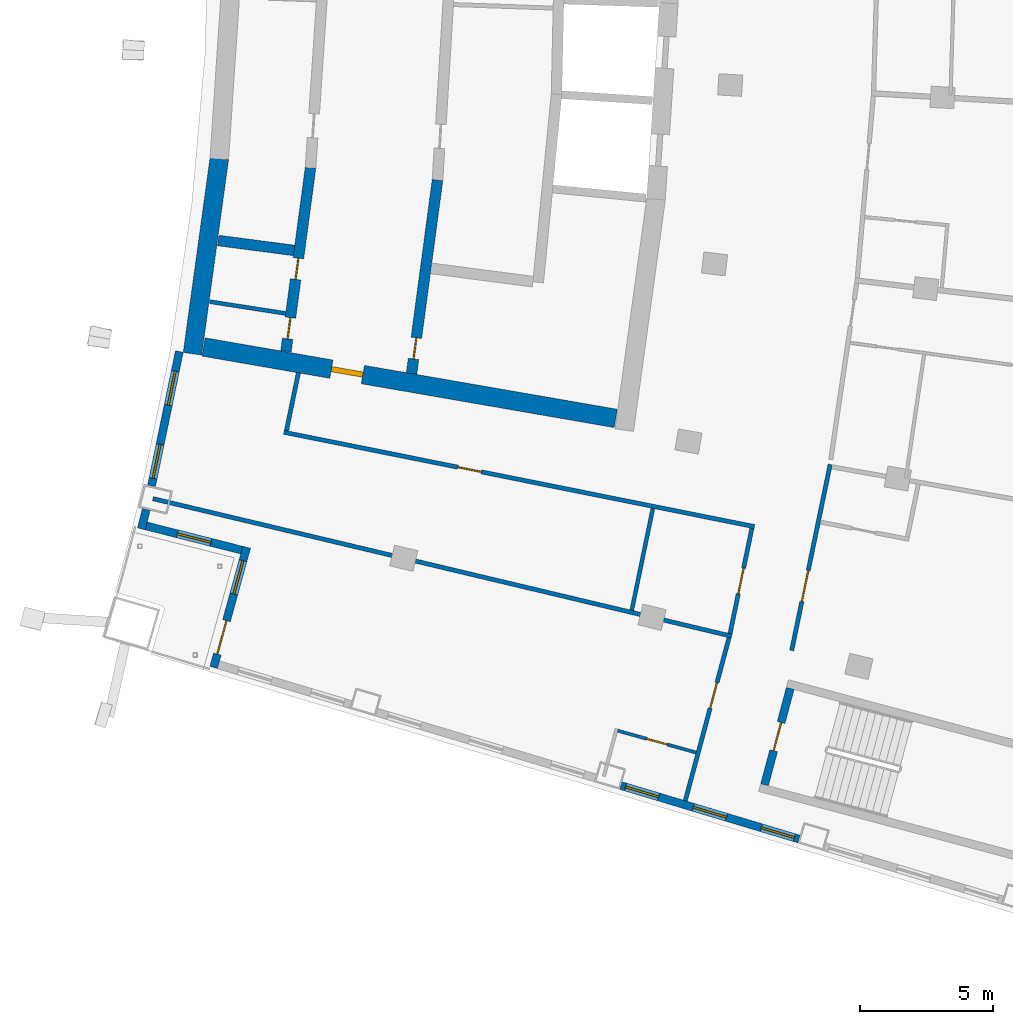
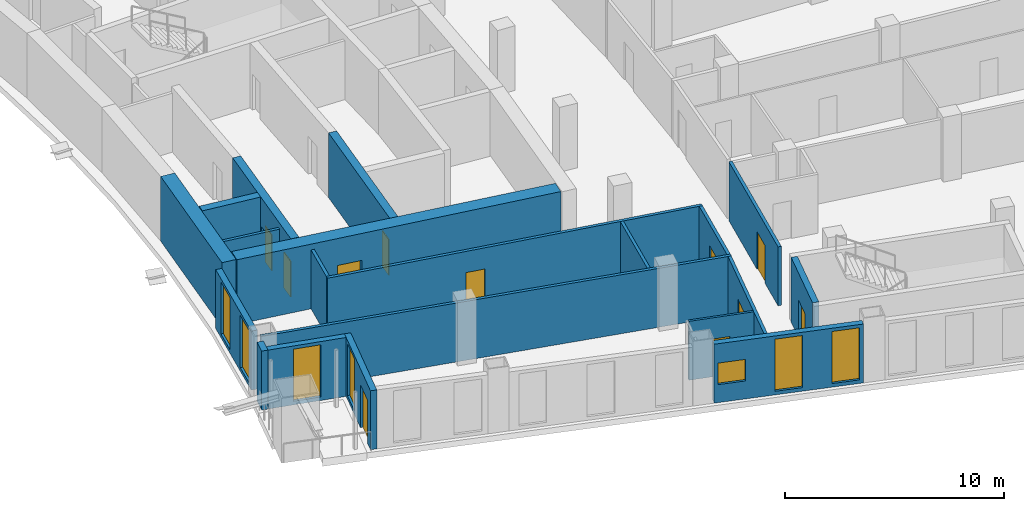
# One storey, part 11 of 22: 20 walls, 11 doors, 7 windows, 18 openings.
"""IFC4 building model written with IfcOpenShell, lengths in metres."""

from ifc_helpers import new_model, si_unit, direction, frame, frame_2d, origin, place, context, subcontext, project, spatial, rectangle, extrude, material, layer, layer_set, type_object, element, fill, save


model = new_model("IFC4")

# Units and contexts
model_context = context("Model", 3, precision=1e-05, world=origin(), true_north=direction((0.0, 1.0)))
body_context = subcontext(model_context, "Body", "Model", "MODEL_VIEW")
ifc_project = project(units=[si_unit("LENGTHUNIT", "METRE"), si_unit("AREAUNIT", "SQUARE_METRE"), si_unit("VOLUMEUNIT", "CUBIC_METRE"), si_unit("PLANEANGLEUNIT", "RADIAN"), si_unit("MASSUNIT", "GRAM", prefix="KILO")], contexts=[model_context])

# Site, building, storey
site_placement = place(None, origin())
site = spatial("IfcSite", under=ifc_project, at=site_placement, CompositionType="ELEMENT")
building_placement = place(site_placement, origin())
building = spatial("IfcBuilding", under=site, at=building_placement, Name="Alderwake Tower", CompositionType="ELEMENT")
storey_placement = place(building_placement, frame((0.0, 0.0, 156.800048828125)))
storey = spatial("IfcBuildingStorey", under=building, at=storey_placement, Name="L38", CompositionType="ELEMENT", Elevation=156.800048828125)

# Walls
ifc_material_1 = material(Name="Gypsum shaft wall system, rated")
ifc_layer_1 = layer(ifc_material_1, 0.14990234375)
ifc_layer_set_1 = layer_set([ifc_layer_1], Name="Core room partition 150")
wall_type_1 = type_object("IfcWallType", Name="Core room partition 150", PredefinedType="PARTITIONING", material=ifc_layer_set_1)
wall_1_placement = place(storey_placement, frame((16.024169921875, 46.097900390625, 0.0), z_axis=(0.0, 0.0, 1.0), x_axis=(0.988178321224, -0.153308856442, 0.0)))
element("IfcWall", 1, at=wall_1_placement, inside=storey, type_object=wall_type_1, Name="CW/L38/PR-161_+0", PredefinedType="PARTITIONING", context=body_context, shape_type="SweptSolid", body=[
    extrude(rectangle(XDim=2.88720703125, YDim=0.14990234375, at=frame_2d((1.443603515625, 0.0))), origin(), (0.0, 0.0, 1.0), 3.280029296875),
])
ifc_material_2 = material(Name="Concrete C70/85", Category="concrete")
ifc_layer_2 = layer(ifc_material_2, 0.699951171875)
ifc_layer_set_2 = layer_set([ifc_layer_2], Name="Core wall outer 700 C70-85")
wall_type_2 = type_object("IfcWallType", Name="Core wall outer 700 C70-85", PredefinedType="SHEAR", material=ifc_layer_set_2)
wall_2_placement = place(storey_placement, frame((15.370849609375, 44.1376953125, 0.0), z_axis=(0.0, 0.0, 1.0), x_axis=(0.136315619812, 0.99066545907, 0.0)))
element("IfcWall", 2, at=wall_2_placement, inside=storey, type_object=wall_type_2, Name="Core wall CW.042", PredefinedType="SHEAR", context=body_context, shape_type="SweptSolid", body=[
    extrude(rectangle(XDim=7.420166015625, YDim=0.699951171875, at=frame_2d((3.7099609375, 0.0))), origin(), (0.0, 0.0, 1.0), 3.599853515625),
])

# Wall, opening, door
wall_3_placement = place(storey_placement, frame((31.295654296875, 41.705810546875, 0.0), z_axis=(0.0, 0.0, 1.0), x_axis=(-0.985302589944, 0.170818050129, 0.0)))
wall_3 = element("IfcWall", 3, at=wall_3_placement, inside=storey, type_object=wall_type_2, Name="Core wall CW.072", PredefinedType="SHEAR", context=body_context, shape_type="SweptSolid", body=[
    extrude(rectangle(XDim=15.7373046875, YDim=0.699951171875, at=frame_2d((7.86865234375, 0.0))), origin(), (0.0, 0.0, 1.0), 3.599853515625),
])
opening_1_placement = place(wall_3_placement, frame((9.65576171875, 0.0, 0.0)))
opening_1 = element("IfcOpeningElement", 4, at=opening_1_placement, cuts=wall_3, Name="Opening C003", PredefinedType="OPENING", context=body_context, shape_type="SweptSolid", body=[
    extrude(rectangle(XDim=1.199951171875, YDim=2.10009765625, at=frame_2d((0.60009765625, 1.050048828125))), frame((0.0, 0.35986328125, 0.0), z_axis=(0.0, -1.0, 0.0), x_axis=(1.0, 0.0, 0.0)), (0.0, 0.0, 1.0), 0.719970703125),
])
ifc_material_3 = material(Name="Steel-framed fire door leaf", Category="steel")
door_type_1 = type_object("IfcDoorType", Name="Core lobby exit door 1200 fire-rated", OperationType="SINGLE_SWING_LEFT", PredefinedType="DOOR", material=ifc_material_3)
door_1_placement = place(opening_1_placement, origin())
door_1 = element("IfcDoor", 5, at=door_1_placement, inside=storey, type_object=door_type_1, Name="Lobby door", OperationType="SINGLE_SWING_LEFT", OverallHeight=2.10009765625, OverallWidth=1.199951171875, PredefinedType="DOOR", context=body_context, shape_type="SweptSolid", body=[
    extrude(rectangle(XDim=1.199951171875, YDim=2.10009765625, at=frame_2d((0.60009765625, 1.050048828125))), frame((0.0, 0.10009765625, 0.0), z_axis=(0.0, -1.0, 0.0), x_axis=(1.0, 0.0, 0.0)), (0.0, 0.0, 1.0), 0.199951171875),
])
fill(opening_1, door_1)

# Wall, openings, doors
ifc_material_4 = material(Name="Concrete C70/85", Category="concrete")
ifc_layer_3 = layer(ifc_material_4, 0.39990234375)
ifc_layer_set_3 = layer_set([ifc_layer_3], Name="Core wall spine 400 C70-85")
wall_type_3 = type_object("IfcWallType", Name="Core wall spine 400 C70-85", PredefinedType="SHEAR", material=ifc_layer_set_3)
wall_4_placement = place(storey_placement, frame((19.814697265625, 51.143798828125, 0.0), z_axis=(0.0, 0.0, 1.0), x_axis=(-0.132864871698, -0.991134161387, 0.0)))
wall_4 = element("IfcWall", 6, at=wall_4_placement, inside=storey, type_object=wall_type_3, Name="Core wall CW.033", PredefinedType="SHEAR", context=body_context, shape_type="SweptSolid", body=[
    extrude(rectangle(XDim=6.978759765625, YDim=0.39990234375, at=frame_2d((3.4892578125, 0.0))), origin(), (0.0, 0.0, 1.0), 3.599853515625),
])
opening_2_placement = place(wall_4_placement, frame((5.69677734375, 0.0, 0.0)))
opening_2 = element("IfcOpeningElement", 7, at=opening_2_placement, cuts=wall_4, Name="Opening C009", PredefinedType="OPENING", context=body_context, shape_type="SweptSolid", body=[
    extrude(rectangle(XDim=0.800048828125, YDim=2.0, at=frame_2d((0.39990234375, 1.0))), frame((0.0, 0.2099609375, 0.0), z_axis=(0.0, -1.0, 0.0), x_axis=(1.0, 0.0, 0.0)), (0.0, 0.0, 1.0), 0.419921875),
])
opening_3_placement = place(wall_4_placement, frame((3.443115234375, 0.0, 0.0)))
opening_3 = element("IfcOpeningElement", 8, at=opening_3_placement, cuts=wall_4, Name="Opening C010", PredefinedType="OPENING", context=body_context, shape_type="SweptSolid", body=[
    extrude(rectangle(XDim=0.800048828125, YDim=2.0, at=frame_2d((0.39990234375, 1.0))), frame((0.0, 0.2099609375, 0.0), z_axis=(0.0, -1.0, 0.0), x_axis=(1.0, 0.0, 0.0)), (0.0, 0.0, 1.0), 0.419921875),
])
ifc_material_5 = material(Name="Painted steel leaf, rated", Category="steel")
door_type_2 = type_object("IfcDoorType", Name="Riser access door 800", OperationType="SINGLE_SWING_LEFT", PredefinedType="DOOR", material=ifc_material_5)
door_2_placement = place(opening_2_placement, origin())
door_2 = element("IfcDoor", 9, at=door_2_placement, inside=storey, type_object=door_type_2, Name="Riser access door", OperationType="SINGLE_SWING_LEFT", OverallHeight=2.0, OverallWidth=0.800048828125, PredefinedType="DOOR", context=body_context, shape_type="SweptSolid", body=[
    extrude(rectangle(XDim=0.800048828125, YDim=2.0, at=frame_2d((0.39990234375, 1.0))), frame((0.0, 0.02490234375, 0.0), z_axis=(0.0, -1.0, 0.0), x_axis=(1.0, 0.0, 0.0)), (0.0, 0.0, 1.0), 0.050048828125),
])
fill(opening_2, door_2)
door_3_placement = place(opening_3_placement, origin())
door_3 = element("IfcDoor", 10, at=door_3_placement, inside=storey, type_object=door_type_2, Name="Riser access door", OperationType="SINGLE_SWING_RIGHT", OverallHeight=2.0, OverallWidth=0.800048828125, PredefinedType="DOOR", context=body_context, shape_type="SweptSolid", body=[
    extrude(rectangle(XDim=0.800048828125, YDim=2.0, at=frame_2d((0.39990234375, 1.0))), frame((0.0, 0.02490234375, 0.0), z_axis=(0.0, -1.0, 0.0), x_axis=(1.0, 0.0, 0.0)), (0.0, 0.0, 1.0), 0.050048828125),
])
fill(opening_3, door_3)

# Wall, opening, door
wall_5_placement = place(storey_placement, frame((23.6142578125, 43.390869140625, 0.0), z_axis=(0.0, 0.0, 1.0), x_axis=(0.133023466616, 0.991112888287, 0.0)))
wall_5 = element("IfcWall", 11, at=wall_5_placement, inside=storey, type_object=wall_type_3, Name="Core wall CW.047", PredefinedType="SHEAR", context=body_context, shape_type="SweptSolid", body=[
    extrude(rectangle(XDim=7.3466796875, YDim=0.39990234375, at=frame_2d((3.67333984375, 0.0))), origin(), (0.0, 0.0, 1.0), 3.599853515625),
])
opening_4_placement = place(wall_5_placement, frame((0.557861328125, 0.0, 0.0)))
opening_4 = element("IfcOpeningElement", 12, at=opening_4_placement, cuts=wall_5, Name="Opening C013", PredefinedType="OPENING", context=body_context, shape_type="SweptSolid", body=[
    extrude(rectangle(XDim=0.800048828125, YDim=2.0, at=frame_2d((0.39990234375, 1.0))), frame((0.0, 0.2099609375, 0.0), z_axis=(0.0, -1.0, 0.0), x_axis=(1.0, 0.0, 0.0)), (0.0, 0.0, 1.0), 0.419921875),
])
door_4_placement = place(opening_4_placement, origin())
door_4 = element("IfcDoor", 13, at=door_4_placement, inside=storey, type_object=door_type_2, Name="Riser access door", OperationType="SINGLE_SWING_LEFT", OverallHeight=2.0, OverallWidth=0.800048828125, PredefinedType="DOOR", context=body_context, shape_type="SweptSolid", body=[
    extrude(rectangle(XDim=0.800048828125, YDim=2.0, at=frame_2d((0.39990234375, 1.0))), frame((0.0, 0.02490234375, 0.0), z_axis=(0.0, -1.0, 0.0), x_axis=(1.0, 0.0, 0.0)), (0.0, 0.0, 1.0), 0.050048828125),
])
fill(opening_4, door_4)

# Wall
wall_6_placement = place(storey_placement, frame((16.3408203125, 48.3994140625, 0.0), z_axis=(0.0, 0.0, 1.0), x_axis=(0.991544987266, -0.129763393253, 0.0)))
element("IfcWall", 14, at=wall_6_placement, inside=storey, type_object=wall_type_3, Name="Core wall CW.067", PredefinedType="SHEAR", context=body_context, shape_type="SweptSolid", body=[
    extrude(rectangle(XDim=2.878662109375, YDim=0.39990234375, at=frame_2d((1.439453125, 0.0))), origin(), (0.0, 0.0, 1.0), 3.599853515625),
])

# Wall, opening, door
ifc_material_6 = material(Name="Concrete C70/85", Category="concrete")
ifc_layer_4 = layer(ifc_material_6, 0.300048828125)
ifc_layer_set_4 = layer_set([ifc_layer_4], Name="Core wall stair enclosure 300 C70-85")
wall_type_4 = type_object("IfcWallType", Name="Core wall stair enclosure 300 C70-85", PredefinedType="SHEAR", material=ifc_layer_set_4)
wall_7_placement = place(storey_placement, frame((36.89501953125, 27.923828125, 0.0), z_axis=(0.0, 0.0, 1.0), x_axis=(0.257350630826, 0.966318090907, 0.0)))
wall_7 = element("IfcWall", 15, at=wall_7_placement, inside=storey, type_object=wall_type_4, Name="Core wall CW.087", PredefinedType="SHEAR", context=body_context, shape_type="SweptSolid", body=[
    extrude(rectangle(XDim=3.75, YDim=0.300048828125, at=frame_2d((1.875, 0.0))), origin(), (0.0, 0.0, 1.0), 3.599853515625),
])
opening_5_placement = place(wall_7_placement, frame((1.324951171875, 0.0, 0.0)))
opening_5 = element("IfcOpeningElement", 16, at=opening_5_placement, cuts=wall_7, Name="Opening C065", PredefinedType="OPENING", context=body_context, shape_type="SweptSolid", body=[
    extrude(rectangle(XDim=1.10009765625, YDim=2.10009765625, at=frame_2d((0.550048828125, 1.050048828125))), frame((0.0, 0.159912109375, 0.0), z_axis=(0.0, -1.0, 0.0), x_axis=(1.0, 0.0, 0.0)), (0.0, 0.0, 1.0), 0.320068359375),
])
ifc_material_7 = material(Name="Steel-framed fire door leaf", Category="steel")
door_type_3 = type_object("IfcDoorType", Name="Core stair door 1100 fire-rated", OperationType="SINGLE_SWING_LEFT", PredefinedType="DOOR", material=ifc_material_7)
door_5_placement = place(opening_5_placement, origin())
door_5 = element("IfcDoor", 17, at=door_5_placement, inside=storey, type_object=door_type_3, Name="Stair door", OperationType="SINGLE_SWING_LEFT", OverallHeight=2.10009765625, OverallWidth=1.10009765625, PredefinedType="DOOR", context=body_context, shape_type="SweptSolid", body=[
    extrude(rectangle(XDim=1.10009765625, YDim=2.10009765625, at=frame_2d((0.550048828125, 1.050048828125))), frame((0.0, 0.02490234375, 0.0), z_axis=(0.0, -1.0, 0.0), x_axis=(1.0, 0.0, 0.0)), (0.0, 0.0, 1.0), 0.050048828125),
])
fill(opening_5, door_5)

# Wall
ifc_material_8 = material(Name="Gypsum board on metal studs, rated")
ifc_layer_5 = layer(ifc_material_8, 0.159912109375)
ifc_layer_set_5 = layer_set([ifc_layer_5], Name="Corridor wall 160")
wall_type_5 = type_object("IfcWallType", Name="Corridor wall 160", PredefinedType="PARTITIONING", material=ifc_layer_set_5)
wall_8_placement = place(storey_placement, frame((13.884033203125, 38.68798828125, 0.0), z_axis=(0.0, 0.0, 1.0), x_axis=(0.972893462073, -0.231253781493, 0.0)))
element("IfcWall", 18, at=wall_8_placement, inside=storey, type_object=wall_type_5, Name="WL/L38/W11", PredefinedType="PARTITIONING", context=body_context, shape_type="SweptSolid", body=[
    extrude(rectangle(XDim=22.38037109375, YDim=0.159912109375, at=frame_2d((11.190185546875, 0.0))), origin(), (0.0, 0.0, 1.0), 3.280029296875),
])

# Wall, opening, door
wall_9_placement = place(storey_placement, frame((36.513427734375, 37.63427734375, 0.0), z_axis=(0.0, 0.0, 1.0), x_axis=(-0.980470254867, 0.1966674333, 0.0)))
wall_9 = element("IfcWall", 19, at=wall_9_placement, inside=storey, type_object=wall_type_5, Name="WL/L38/W12", PredefinedType="PARTITIONING", context=body_context, shape_type="SweptSolid", body=[
    extrude(rectangle(XDim=18.053466796875, YDim=0.159912109375, at=frame_2d((9.02685546875, 0.0))), origin(), (0.0, 0.0, 1.0), 3.280029296875),
])
opening_6_placement = place(wall_9_placement, frame((10.476806640625, 0.0, 0.0)))
opening_6 = element("IfcOpeningElement", 20, at=opening_6_placement, cuts=wall_9, Name="Opening R10-SBS1", PredefinedType="OPENING", context=body_context, shape_type="SweptSolid", body=[
    extrude(rectangle(XDim=0.89990234375, YDim=2.10009765625, at=frame_2d((0.449951171875, 1.050048828125))), frame((0.0, 0.08984375, 0.0), z_axis=(0.0, -1.0, 0.0), x_axis=(1.0, 0.0, 0.0)), (0.0, 0.0, 1.0), 0.179931640625),
])
ifc_material_9 = material(Name="Painted timber leaf", Category="wood")
door_type_4 = type_object("IfcDoorType", Name="Room door 900", OperationType="SINGLE_SWING_LEFT", PredefinedType="DOOR", material=ifc_material_9)
door_6_placement = place(opening_6_placement, origin())
door_6 = element("IfcDoor", 21, at=door_6_placement, inside=storey, type_object=door_type_4, Name="DR/L38/SBS1", OperationType="SINGLE_SWING_LEFT", OverallHeight=2.10009765625, OverallWidth=0.89990234375, PredefinedType="DOOR", context=body_context, shape_type="SweptSolid", body=[
    extrude(rectangle(XDim=0.89990234375, YDim=2.10009765625, at=frame_2d((0.449951171875, 1.050048828125))), frame((0.0, 0.02490234375, 0.0), z_axis=(0.0, -1.0, 0.0), x_axis=(1.0, 0.0, 0.0)), (0.0, 0.0, 1.0), 0.050048828125),
])
fill(opening_6, door_6)

# Wall
wall_10_placement = place(storey_placement, frame((19.35888671875, 43.430908203125, 0.0), z_axis=(0.0, 0.0, 1.0), x_axis=(-0.202554916658, -0.979270905183, 0.0)))
element("IfcWall", 22, at=wall_10_placement, inside=storey, type_object=wall_type_5, Name="WL/L38/W13", PredefinedType="PARTITIONING", context=body_context, shape_type="SweptSolid", body=[
    extrude(rectangle(XDim=2.229736328125, YDim=0.159912109375, at=frame_2d((1.11474609375, 0.0))), origin(), (0.0, 0.0, 1.0), 3.280029296875),
])

# Wall, opening, door
wall_11_placement = place(storey_placement, frame((33.912109375, 27.321044921875, 0.0), z_axis=(0.0, 0.0, 1.0), x_axis=(0.259370874835, 0.965777794986, 0.0)))
wall_11 = element("IfcWall", 23, at=wall_11_placement, inside=storey, type_object=wall_type_5, Name="WL/L38/W16", PredefinedType="PARTITIONING", context=body_context, shape_type="SweptSolid", body=[
    extrude(rectangle(XDim=6.349853515625, YDim=0.159912109375, at=frame_2d((3.1748046875, 0.0))), origin(), (0.0, 0.0, 1.0), 3.280029296875),
])
opening_7_placement = place(wall_11_placement, frame((3.603515625, 0.0, 0.0)))
opening_7 = element("IfcOpeningElement", 24, at=opening_7_placement, cuts=wall_11, Name="Opening R10-U08.1", PredefinedType="OPENING", context=body_context, shape_type="SweptSolid", body=[
    extrude(rectangle(XDim=1.0, YDim=2.10009765625, at=frame_2d((0.5, 1.050048828125))), frame((0.0, 0.08984375, 0.0), z_axis=(0.0, -1.0, 0.0), x_axis=(1.0, 0.0, 0.0)), (0.0, 0.0, 1.0), 0.179931640625),
])
ifc_material_10 = material(Name="Solid timber leaf in steel frame", Category="steel")
door_type_5 = type_object("IfcDoorType", Name="Flat entrance door 1000 fire-rated", OperationType="SINGLE_SWING_LEFT", PredefinedType="DOOR", material=ifc_material_10)
door_7_placement = place(opening_7_placement, origin())
door_7 = element("IfcDoor", 25, at=door_7_placement, inside=storey, type_object=door_type_5, Name="DR/L38/U08.1", OperationType="SINGLE_SWING_LEFT", OverallHeight=2.10009765625, OverallWidth=1.0, PredefinedType="DOOR", context=body_context, shape_type="SweptSolid", body=[
    extrude(rectangle(XDim=1.0, YDim=2.10009765625, at=frame_2d((0.5, 1.050048828125))), frame((0.0, 0.02490234375, 0.0), z_axis=(0.0, -1.0, 0.0), x_axis=(1.0, 0.0, 0.0)), (0.0, 0.0, 1.0), 0.050048828125),
])
fill(opening_7, door_7)

wall_12_placement = place(storey_placement, frame((35.59619140625, 33.609375, 0.0), z_axis=(0.0, 0.0, 1.0), x_axis=(0.203245920818, 0.979127721838, 0.0)))
wall_12 = element("IfcWall", 26, at=wall_12_placement, inside=storey, type_object=wall_type_5, Name="WL/L38/W19", PredefinedType="PARTITIONING", context=body_context, shape_type="SweptSolid", body=[
    extrude(rectangle(XDim=4.046875, YDim=0.159912109375, at=frame_2d((2.0234375, 0.0))), origin(), (0.0, 0.0, 1.0), 3.280029296875),
])
opening_8_placement = place(wall_12_placement, frame((1.5234375, 0.0, 0.0)))
opening_8 = element("IfcOpeningElement", 27, at=opening_8_placement, cuts=wall_12, Name="Opening R10-SBS2", PredefinedType="OPENING", context=body_context, shape_type="SweptSolid", body=[
    extrude(rectangle(XDim=1.0, YDim=2.10009765625, at=frame_2d((0.5, 1.050048828125))), frame((0.0, 0.08984375, 0.0), z_axis=(0.0, -1.0, 0.0), x_axis=(1.0, 0.0, 0.0)), (0.0, 0.0, 1.0), 0.179931640625),
])
ifc_material_11 = material(Name="Steel-framed fire door leaf", Category="steel")
door_type_6 = type_object("IfcDoorType", Name="Plant room door 1000 fire-rated", OperationType="SINGLE_SWING_LEFT", PredefinedType="DOOR", material=ifc_material_11)
door_8_placement = place(opening_8_placement, origin())
door_8 = element("IfcDoor", 28, at=door_8_placement, inside=storey, type_object=door_type_6, Name="DR/L38/SBS2", OperationType="SINGLE_SWING_LEFT", OverallHeight=2.10009765625, OverallWidth=1.0, PredefinedType="DOOR", context=body_context, shape_type="SweptSolid", body=[
    extrude(rectangle(XDim=1.0, YDim=2.10009765625, at=frame_2d((0.5, 1.050048828125))), frame((0.0, 0.02490234375, 0.0), z_axis=(0.0, -1.0, 0.0), x_axis=(1.0, 0.0, 0.0)), (0.0, 0.0, 1.0), 0.050048828125),
])
fill(opening_8, door_8)

wall_13_placement = place(storey_placement, frame((39.3642578125, 39.975341796875, 0.0), z_axis=(0.0, 0.0, 1.0), x_axis=(-0.202490391407, -0.979284249535, 0.0)))
wall_13 = element("IfcWall", 29, at=wall_13_placement, inside=storey, type_object=wall_type_5, Name="WL/L38/W21", PredefinedType="PARTITIONING", context=body_context, shape_type="SweptSolid", body=[
    extrude(rectangle(XDim=7.147216796875, YDim=0.159912109375, at=frame_2d((3.57373046875, 0.0))), origin(), (0.0, 0.0, 1.0), 3.280029296875),
])
opening_9_placement = place(wall_13_placement, frame((4.073486328125, 0.0, 0.0)))
opening_9 = element("IfcOpeningElement", 30, at=opening_9_placement, cuts=wall_13, Name="Opening R10-AM1.1", PredefinedType="OPENING", context=body_context, shape_type="SweptSolid", body=[
    extrude(rectangle(XDim=1.199951171875, YDim=2.10009765625, at=frame_2d((0.60009765625, 1.050048828125))), frame((0.0, 0.08984375, 0.0), z_axis=(0.0, -1.0, 0.0), x_axis=(1.0, 0.0, 0.0)), (0.0, 0.0, 1.0), 0.179931640625),
])
ifc_material_12 = material(Name="Steel-framed fire door leaf", Category="steel")
door_type_7 = type_object("IfcDoorType", Name="Lobby door 1200 fire-rated", OperationType="SINGLE_SWING_LEFT", PredefinedType="DOOR", material=ifc_material_12)
door_9_placement = place(opening_9_placement, origin())
door_9 = element("IfcDoor", 31, at=door_9_placement, inside=storey, type_object=door_type_7, Name="DR/L38/AM1.1", OperationType="SINGLE_SWING_LEFT", OverallHeight=2.10009765625, OverallWidth=1.199951171875, PredefinedType="DOOR", context=body_context, shape_type="SweptSolid", body=[
    extrude(rectangle(XDim=1.199951171875, YDim=2.10009765625, at=frame_2d((0.60009765625, 1.050048828125))), frame((0.0, 0.02490234375, 0.0), z_axis=(0.0, -1.0, 0.0), x_axis=(1.0, 0.0, 0.0)), (0.0, 0.0, 1.0), 0.050048828125),
])
fill(opening_9, door_9)

# Wall
ifc_material_13 = material(Name="Precast concrete C50/60 spandrel panel", Category="concrete")
ifc_layer_6 = layer(ifc_material_13, 0.300048828125)
ifc_layer_set_6 = layer_set([ifc_layer_6], Name="External wall EW1 Precast concrete C50/60 spandrel")
wall_type_6 = type_object("IfcWallType", Name="External wall EW1 Precast concrete C50/60 spandrel", PredefinedType="SOLIDWALL", material=ifc_layer_set_6)
wall_14_placement = place(storey_placement, frame((13.63134765625, 38.28271484375, 0.0), z_axis=(0.0, 0.0, 1.0), x_axis=(-0.238336947214, -0.971182526404, 0.0)))
element("IfcWall", 32, at=wall_14_placement, inside=storey, type_object=wall_type_6, Name="External wall 1", PredefinedType="SOLIDWALL", context=body_context, shape_type="SweptSolid", body=[
    extrude(rectangle(XDim=0.7529296875, YDim=0.300048828125, at=frame_2d((0.37646484375, 0.0))), origin(), (0.0, 0.0, 1.0), 3.280029296875),
])

# Wall, openings, windows
wall_15_placement = place(storey_placement, frame((14.878173828125, 44.223388671875, 0.0), z_axis=(0.0, 0.0, 1.0), x_axis=(-0.202754243564, -0.979229654737, 0.0)))
wall_15 = element("IfcWall", 33, at=wall_15_placement, inside=storey, type_object=wall_type_6, Name="External wall 32", PredefinedType="SOLIDWALL", context=body_context, shape_type="SweptSolid", body=[
    extrude(rectangle(XDim=5.15966796875, YDim=0.300048828125, at=frame_2d((2.579833984375, 0.0))), origin(), (0.0, 0.0, 1.0), 3.280029296875),
])
opening_10_placement = place(wall_15_placement, frame((0.75634765625, 0.0, 0.199951171875)))
opening_10 = element("IfcOpeningElement", 34, at=opening_10_placement, cuts=wall_15, Name="Opening W1", PredefinedType="OPENING", context=body_context, shape_type="SweptSolid", body=[
    extrude(rectangle(XDim=1.300048828125, YDim=2.89990234375, at=frame_2d((0.64990234375, 1.449951171875))), frame((0.0, 0.159912109375, 0.0), z_axis=(0.0, -1.0, 0.0), x_axis=(1.0, 0.0, 0.0)), (0.0, 0.0, 1.0), 0.320068359375),
])
opening_11_placement = place(wall_15_placement, frame((3.569091796875, 0.0, 0.199951171875)))
opening_11 = element("IfcOpeningElement", 35, at=opening_11_placement, cuts=wall_15, Name="Opening W1", PredefinedType="OPENING", context=body_context, shape_type="SweptSolid", body=[
    extrude(rectangle(XDim=1.300048828125, YDim=2.89990234375, at=frame_2d((0.64990234375, 1.449951171875))), frame((0.0, 0.159912109375, 0.0), z_axis=(0.0, -1.0, 0.0), x_axis=(1.0, 0.0, 0.0)), (0.0, 0.0, 1.0), 0.320068359375),
])
ifc_material_14 = material(Name="Bronze tinted glass in aluminium frame", Category="aluminium")
window_type_1 = type_object("IfcWindowType", Name="Window W1 tall fixed and vent", PartitioningType="DOUBLE_PANEL_VERTICAL", PredefinedType="WINDOW", material=ifc_material_14)
window_1_placement = place(opening_10_placement, origin())
window_1 = element("IfcWindow", 36, at=window_1_placement, inside=storey, type_object=window_type_1, Name="Window W1 tall fixed and vent", OverallHeight=2.89990234375, OverallWidth=1.300048828125, PartitioningType="DOUBLE_PANEL_VERTICAL", PredefinedType="WINDOW", context=body_context, shape_type="SweptSolid", body=[
    extrude(rectangle(XDim=1.300048828125, YDim=2.89990234375, at=frame_2d((0.64990234375, 1.449951171875))), frame((0.0, 0.030029296875, 0.0), z_axis=(0.0, -1.0, 0.0), x_axis=(1.0, 0.0, 0.0)), (0.0, 0.0, 1.0), 0.06005859375),
])
fill(opening_10, window_1)
window_2_placement = place(opening_11_placement, origin())
window_2 = element("IfcWindow", 37, at=window_2_placement, inside=storey, type_object=window_type_1, Name="Window W1 tall fixed and vent", OverallHeight=2.89990234375, OverallWidth=1.300048828125, PartitioningType="DOUBLE_PANEL_VERTICAL", PredefinedType="WINDOW", context=body_context, shape_type="SweptSolid", body=[
    extrude(rectangle(XDim=1.300048828125, YDim=2.89990234375, at=frame_2d((0.64990234375, 1.449951171875))), frame((0.0, 0.030029296875, 0.0), z_axis=(0.0, -1.0, 0.0), x_axis=(1.0, 0.0, 0.0)), (0.0, 0.0, 1.0), 0.06005859375),
])
fill(opening_11, window_2)

# Wall, opening, window
ifc_material_15 = material(Name="Bronze metal cladding on lightweight framing")
ifc_layer_7 = layer(ifc_material_15, 0.300048828125)
ifc_layer_set_7 = layer_set([ifc_layer_7], Name="External wall EW2 bronze metal cladding")
wall_type_7 = type_object("IfcWallType", Name="External wall EW2 bronze metal cladding", PredefinedType="SOLIDWALL", material=ifc_layer_set_7)
wall_16_placement = place(storey_placement, frame((13.633056640625, 37.660400390625, 0.0), z_axis=(0.0, 0.0, 1.0), x_axis=(0.969417366605, -0.245417948254, 0.0)))
wall_16 = element("IfcWall", 38, at=wall_16_placement, inside=storey, type_object=wall_type_7, Name="External wall 2", PredefinedType="SOLIDWALL", context=body_context, shape_type="SweptSolid", body=[
    extrude(rectangle(XDim=3.70556640625, YDim=0.300048828125, at=frame_2d((1.852783203125, 0.0))), origin(), (0.0, 0.0, 1.0), 3.280029296875),
])
opening_12_placement = place(wall_16_placement, frame((1.202880859375, 0.0, 0.199951171875)))
opening_12 = element("IfcOpeningElement", 39, at=opening_12_placement, cuts=wall_16, Name="Opening W1", PredefinedType="OPENING", context=body_context, shape_type="SweptSolid", body=[
    extrude(rectangle(XDim=1.300048828125, YDim=2.89990234375, at=frame_2d((0.64990234375, 1.449951171875))), frame((0.0, 0.159912109375, 0.0), z_axis=(0.0, -1.0, 0.0), x_axis=(1.0, 0.0, 0.0)), (0.0, 0.0, 1.0), 0.320068359375),
])
window_3_placement = place(opening_12_placement, origin())
window_3 = element("IfcWindow", 40, at=window_3_placement, inside=storey, type_object=window_type_1, Name="Window W1 tall fixed and vent", OverallHeight=2.89990234375, OverallWidth=1.300048828125, PartitioningType="DOUBLE_PANEL_VERTICAL", PredefinedType="WINDOW", context=body_context, shape_type="SweptSolid", body=[
    extrude(rectangle(XDim=1.300048828125, YDim=2.89990234375, at=frame_2d((0.64990234375, 1.449951171875))), frame((0.0, 0.030029296875, 0.0), z_axis=(0.0, -1.0, 0.0), x_axis=(1.0, 0.0, 0.0)), (0.0, 0.0, 1.0), 0.06005859375),
])
fill(opening_12, window_3)

# Wall, openings, door, window
wall_17_placement = place(storey_placement, frame((17.410400390625, 36.85888671875, 0.0), z_axis=(0.0, 0.0, 1.0), x_axis=(-0.264592640785, -0.96436027212, 0.0)))
wall_17 = element("IfcWall", 41, at=wall_17_placement, inside=storey, type_object=wall_type_7, Name="External wall 3", PredefinedType="SOLIDWALL", context=body_context, shape_type="SweptSolid", body=[
    extrude(rectangle(XDim=4.690185546875, YDim=0.300048828125, at=frame_2d((2.34521484375, 0.0))), origin(), (0.0, 0.0, 1.0), 3.280029296875),
])
opening_13_placement = place(wall_17_placement, frame((0.5224609375, 0.0, 0.199951171875)))
opening_13 = element("IfcOpeningElement", 42, at=opening_13_placement, cuts=wall_17, Name="Opening W1", PredefinedType="OPENING", context=body_context, shape_type="SweptSolid", body=[
    extrude(rectangle(XDim=1.300048828125, YDim=2.89990234375, at=frame_2d((0.64990234375, 1.449951171875))), frame((0.0, 0.159912109375, 0.0), z_axis=(0.0, -1.0, 0.0), x_axis=(1.0, 0.0, 0.0)), (0.0, 0.0, 1.0), 0.320068359375),
])
opening_14_placement = place(wall_17_placement, frame((2.867431640625, 0.0, 0.0)))
opening_14 = element("IfcOpeningElement", 43, at=opening_14_placement, cuts=wall_17, Name="Opening D01", PredefinedType="OPENING", context=body_context, shape_type="SweptSolid", body=[
    extrude(rectangle(XDim=1.300048828125, YDim=2.39990234375, at=frame_2d((0.64990234375, 1.199951171875))), frame((0.0, 0.159912109375, 0.0), z_axis=(0.0, -1.0, 0.0), x_axis=(1.0, 0.0, 0.0)), (0.0, 0.0, 1.0), 0.320068359375),
])
ifc_material_16 = material(Name="Bronze tinted glass in aluminium frame", Category="aluminium")
door_type_8 = type_object("IfcDoorType", Name="Balcony door BD sliding", OperationType="SLIDING_TO_LEFT", PredefinedType="DOOR", material=ifc_material_16)
door_10_placement = place(opening_14_placement, origin())
door_10 = element("IfcDoor", 44, at=door_10_placement, inside=storey, type_object=door_type_8, Name="Door D01", OperationType="SLIDING_TO_LEFT", OverallHeight=2.39990234375, OverallWidth=1.300048828125, PredefinedType="DOOR", context=body_context, shape_type="SweptSolid", body=[
    extrude(rectangle(XDim=1.300048828125, YDim=2.39990234375, at=frame_2d((0.64990234375, 1.199951171875))), frame((0.0, 0.02490234375, 0.0), z_axis=(0.0, -1.0, 0.0), x_axis=(1.0, 0.0, 0.0)), (0.0, 0.0, 1.0), 0.050048828125),
])
fill(opening_14, door_10)
window_4_placement = place(opening_13_placement, origin())
window_4 = element("IfcWindow", 45, at=window_4_placement, inside=storey, type_object=window_type_1, Name="Window W1 tall fixed and vent", OverallHeight=2.89990234375, OverallWidth=1.300048828125, PartitioningType="DOUBLE_PANEL_VERTICAL", PredefinedType="WINDOW", context=body_context, shape_type="SweptSolid", body=[
    extrude(rectangle(XDim=1.300048828125, YDim=2.89990234375, at=frame_2d((0.64990234375, 1.449951171875))), frame((0.0, 0.030029296875, 0.0), z_axis=(0.0, -1.0, 0.0), x_axis=(1.0, 0.0, 0.0)), (0.0, 0.0, 1.0), 0.06005859375),
])
fill(opening_13, window_4)

# Wall, openings, windows
wall_18_placement = place(storey_placement, frame((31.4892578125, 27.893310546875, 0.0), z_axis=(0.0, 0.0, 1.0), x_axis=(0.957757105671, -0.287578383292, 0.0)))
wall_18 = element("IfcWall", 46, at=wall_18_placement, inside=storey, type_object=wall_type_7, Name="External wall 6", PredefinedType="SOLIDWALL", context=body_context, shape_type="SweptSolid", body=[
    extrude(rectangle(XDim=6.996337890625, YDim=0.300048828125, at=frame_2d((3.498046875, 0.0))), origin(), (0.0, 0.0, 1.0), 3.280029296875),
])
opening_15_placement = place(wall_18_placement, frame((0.181396484375, 0.0, 1.0)))
opening_15 = element("IfcOpeningElement", 47, at=opening_15_placement, cuts=wall_18, Name="Opening W2", PredefinedType="OPENING", context=body_context, shape_type="SweptSolid", body=[
    extrude(rectangle(XDim=1.300048828125, YDim=1.199951171875, at=frame_2d((0.64990234375, 0.60009765625))), frame((0.0, 0.159912109375, 0.0), z_axis=(0.0, -1.0, 0.0), x_axis=(1.0, 0.0, 0.0)), (0.0, 0.0, 1.0), 0.320068359375),
])
opening_16_placement = place(wall_18_placement, frame((2.847900390625, 0.0, 0.199951171875)))
opening_16 = element("IfcOpeningElement", 48, at=opening_16_placement, cuts=wall_18, Name="Opening W1", PredefinedType="OPENING", context=body_context, shape_type="SweptSolid", body=[
    extrude(rectangle(XDim=1.300048828125, YDim=2.89990234375, at=frame_2d((0.64990234375, 1.449951171875))), frame((0.0, 0.159912109375, 0.0), z_axis=(0.0, -1.0, 0.0), x_axis=(1.0, 0.0, 0.0)), (0.0, 0.0, 1.0), 0.320068359375),
])
opening_17_placement = place(wall_18_placement, frame((5.5146484375, 0.0, 0.199951171875)))
opening_17 = element("IfcOpeningElement", 49, at=opening_17_placement, cuts=wall_18, Name="Opening W1", PredefinedType="OPENING", context=body_context, shape_type="SweptSolid", body=[
    extrude(rectangle(XDim=1.300048828125, YDim=2.89990234375, at=frame_2d((0.64990234375, 1.449951171875))), frame((0.0, 0.159912109375, 0.0), z_axis=(0.0, -1.0, 0.0), x_axis=(1.0, 0.0, 0.0)), (0.0, 0.0, 1.0), 0.320068359375),
])
window_5_placement = place(opening_16_placement, origin())
window_5 = element("IfcWindow", 50, at=window_5_placement, inside=storey, type_object=window_type_1, Name="Window W1 tall fixed and vent", OverallHeight=2.89990234375, OverallWidth=1.300048828125, PartitioningType="DOUBLE_PANEL_VERTICAL", PredefinedType="WINDOW", context=body_context, shape_type="SweptSolid", body=[
    extrude(rectangle(XDim=1.300048828125, YDim=2.89990234375, at=frame_2d((0.64990234375, 1.449951171875))), frame((0.0, 0.030029296875, 0.0), z_axis=(0.0, -1.0, 0.0), x_axis=(1.0, 0.0, 0.0)), (0.0, 0.0, 1.0), 0.06005859375),
])
fill(opening_16, window_5)
window_6_placement = place(opening_17_placement, origin())
window_6 = element("IfcWindow", 51, at=window_6_placement, inside=storey, type_object=window_type_1, Name="Window W1 tall fixed and vent", OverallHeight=2.89990234375, OverallWidth=1.300048828125, PartitioningType="DOUBLE_PANEL_VERTICAL", PredefinedType="WINDOW", context=body_context, shape_type="SweptSolid", body=[
    extrude(rectangle(XDim=1.300048828125, YDim=2.89990234375, at=frame_2d((0.64990234375, 1.449951171875))), frame((0.0, 0.030029296875, 0.0), z_axis=(0.0, -1.0, 0.0), x_axis=(1.0, 0.0, 0.0)), (0.0, 0.0, 1.0), 0.06005859375),
])
fill(opening_17, window_6)
ifc_material_17 = material(Name="Bronze tinted glass in aluminium frame", Category="aluminium")
window_type_2 = type_object("IfcWindowType", Name="Window W2 kitchen and bath", PartitioningType="SINGLE_PANEL", PredefinedType="WINDOW", material=ifc_material_17)
window_7_placement = place(opening_15_placement, origin())
window_7 = element("IfcWindow", 52, at=window_7_placement, inside=storey, type_object=window_type_2, Name="Window W2 kitchen and bath", OverallHeight=1.199951171875, OverallWidth=1.300048828125, PartitioningType="SINGLE_PANEL", PredefinedType="WINDOW", context=body_context, shape_type="SweptSolid", body=[
    extrude(rectangle(XDim=1.300048828125, YDim=1.199951171875, at=frame_2d((0.64990234375, 0.60009765625))), frame((0.0, 0.030029296875, 0.0), z_axis=(0.0, -1.0, 0.0), x_axis=(1.0, 0.0, 0.0)), (0.0, 0.0, 1.0), 0.06005859375),
])
fill(opening_15, window_7)

# Wall
ifc_material_18 = material(Name="Gypsum shaft wall system, rated")
ifc_layer_8 = layer(ifc_material_18, 0.14990234375)
ifc_layer_set_8 = layer_set([ifc_layer_8], Name="Riser and shaft wall 150")
wall_type_8 = type_object("IfcWallType", Name="Riser and shaft wall 150", PredefinedType="PARTITIONING", material=ifc_layer_set_8)
wall_19_placement = place(storey_placement, frame((31.900146484375, 34.48828125, 0.0), z_axis=(0.0, 0.0, 1.0), x_axis=(0.20266545775, 0.979248034073, 0.0)))
element("IfcWall", 53, at=wall_19_placement, inside=storey, type_object=wall_type_8, Name="WL/L38/W07", PredefinedType="PARTITIONING", context=body_context, shape_type="SweptSolid", body=[
    extrude(rectangle(XDim=3.911376953125, YDim=0.14990234375, at=frame_2d((1.95556640625, 0.0))), origin(), (0.0, 0.0, 1.0), 3.280029296875),
])

# Wall, opening, door
ifc_material_19 = material(Name="Moisture resistant gypsum board on metal studs")
ifc_layer_9 = layer(ifc_material_19, 0.1201171875)
ifc_layer_set_9 = layer_set([ifc_layer_9], Name="Wet room partition 120")
wall_type_9 = type_object("IfcWallType", Name="Wet room partition 120", PredefinedType="PARTITIONING", material=ifc_layer_set_9)
wall_20_placement = place(storey_placement, frame((34.31787109375, 29.136474609375, 0.0), z_axis=(0.0, 0.0, 1.0), x_axis=(-0.963351881246, 0.268240848677, 0.0)))
wall_20 = element("IfcWall", 54, at=wall_20_placement, inside=storey, type_object=wall_type_9, Name="WL/L38/W33", PredefinedType="PARTITIONING", context=body_context, shape_type="SweptSolid", body=[
    extrude(rectangle(XDim=3.05810546875, YDim=0.1201171875, at=frame_2d((1.529052734375, 0.0))), origin(), (0.0, 0.0, 1.0), 3.280029296875),
])
opening_18_placement = place(wall_20_placement, frame((1.129150390625, 0.0, 0.0)))
opening_18 = element("IfcOpeningElement", 55, at=opening_18_placement, cuts=wall_20, Name="Opening R10-U08.2", PredefinedType="OPENING", context=body_context, shape_type="SweptSolid", body=[
    extrude(rectangle(XDim=0.800048828125, YDim=2.10009765625, at=frame_2d((0.39990234375, 1.050048828125))), frame((0.0, 0.070068359375, 0.0), z_axis=(0.0, -1.0, 0.0), x_axis=(1.0, 0.0, 0.0)), (0.0, 0.0, 1.0), 0.14013671875),
])
ifc_material_20 = material(Name="Painted timber leaf", Category="wood")
door_type_9 = type_object("IfcDoorType", Name="Bathroom door 800", OperationType="SINGLE_SWING_LEFT", PredefinedType="DOOR", material=ifc_material_20)
door_11_placement = place(opening_18_placement, origin())
door_11 = element("IfcDoor", 56, at=door_11_placement, inside=storey, type_object=door_type_9, Name="DR/L38/U08.2", OperationType="SINGLE_SWING_LEFT", OverallHeight=2.10009765625, OverallWidth=0.800048828125, PredefinedType="DOOR", context=body_context, shape_type="SweptSolid", body=[
    extrude(rectangle(XDim=0.800048828125, YDim=2.10009765625, at=frame_2d((0.39990234375, 1.050048828125))), frame((0.0, 0.02490234375, 0.0), z_axis=(0.0, -1.0, 0.0), x_axis=(1.0, 0.0, 0.0)), (0.0, 0.0, 1.0), 0.050048828125),
])
fill(opening_18, door_11)

save(model, "model.ifc")
